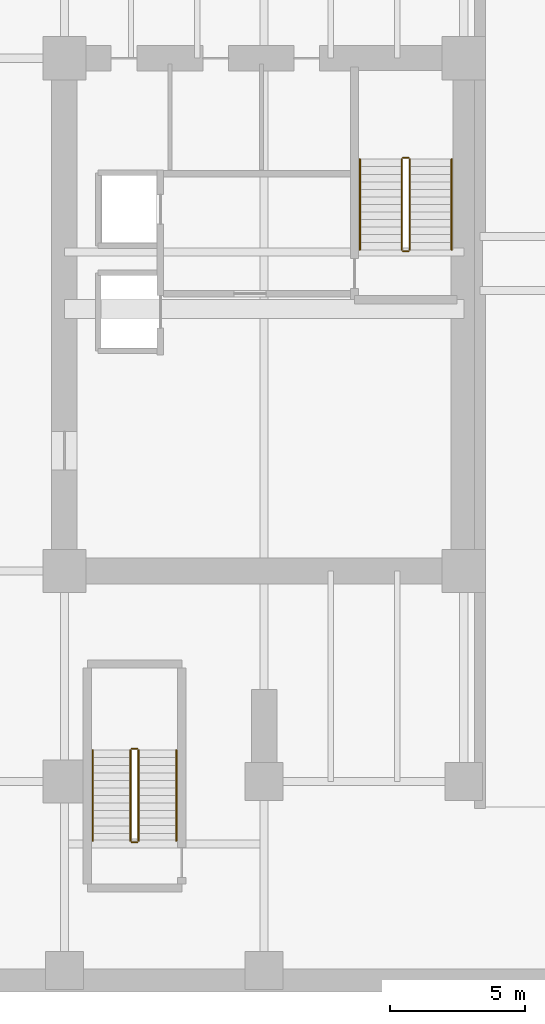
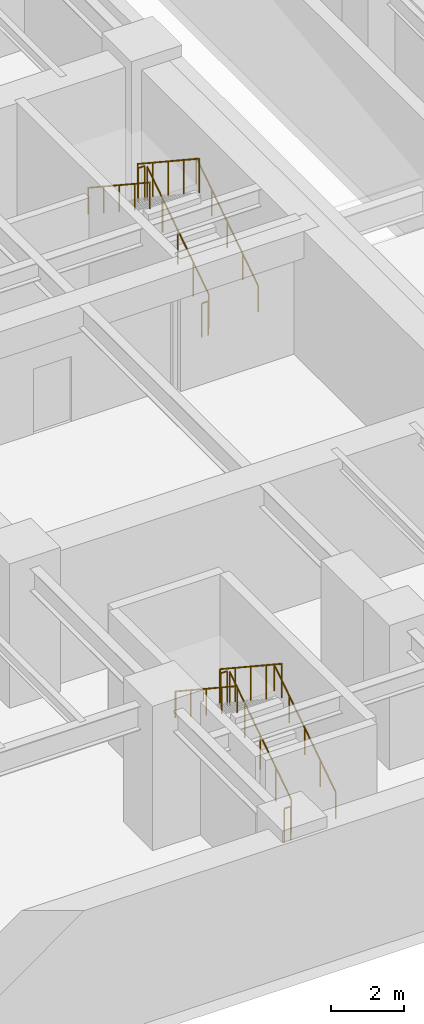
# One storey, part 6 of 6: 12 railings.
"""IFC4 building model written with IfcOpenShell, lengths in metres."""

from ifc_helpers import new_model, si_unit, direction, frame, origin, origin_2d, place, context, subcontext, project, spatial, circle, extrude, source, transform, mapped, material, type_object, type_shapes, element, save


model = new_model("IFC4")

# Units and contexts
model_context = context("Model", 3, precision=1e-05, world=origin(), true_north=direction((0.0, 1.0)))
body_context = subcontext(model_context, "Body", "Model", "MODEL_VIEW")
ifc_project = project(units=[si_unit("LENGTHUNIT", "METRE"), si_unit("AREAUNIT", "SQUARE_METRE"), si_unit("VOLUMEUNIT", "CUBIC_METRE"), si_unit("PLANEANGLEUNIT", "RADIAN"), si_unit("MASSUNIT", "GRAM", prefix="KILO")], contexts=[model_context])

# Site, building, storey
site_placement = place(None, origin())
site = spatial("IfcSite", under=ifc_project, at=site_placement, CompositionType="ELEMENT")
building_placement = place(site_placement, origin())
building = spatial("IfcBuilding", under=site, at=building_placement, Name="Haelvirn Gate Laboratories", CompositionType="ELEMENT")
storey_placement = place(building_placement, frame((0.0, 0.0, -9.60009765625)))
storey = spatial("IfcBuildingStorey", under=building, at=storey_placement, Name="B2", CompositionType="ELEMENT", Elevation=-9.60009765625)

# Railings
ifc_material_1 = material(Name="Galvanised steel SM355 & stainless top rail", Category="steel")
railing_type_1 = type_object("IfcRailingType", Name="RL-GUARD-1150", PredefinedType="GUARDRAIL", material=ifc_material_1)
shared_shape_1 = source(origin(), body_context, "Body", "SweptSolid", [
    extrude(circle(Radius=0.02392578125, at=origin_2d()), frame((0.0, 0.0, 1.1259765625), z_axis=(0.0, 0.834876476806, 0.550437342915), x_axis=(-1.0, 0.0, 0.0)), (0.0, 0.0, 1.0), 4.024658203125),
    extrude(circle(Radius=0.02099609375, at=origin_2d()), origin(), (0.0, 0.0, 1.0), 1.101806640625),
    extrude(circle(Radius=0.02099609375, at=origin_2d()), frame((0.0, 0.840087890625, 0.5537109375)), (0.0, 0.0, 1.0), 1.101806640625),
    extrude(circle(Radius=0.02099609375, at=origin_2d()), frame((0.0, 1.68017578125, 1.107666015625)), (0.0, 0.0, 1.0), 1.101806640625),
    extrude(circle(Radius=0.02099609375, at=origin_2d()), frame((0.0, 2.52001953125, 1.66162109375)), (0.0, 0.0, 1.0), 1.101806640625),
    extrude(circle(Radius=0.02099609375, at=origin_2d()), frame((0.0, 3.360107421875, 2.21533203125)), (0.0, 0.0, 1.0), 1.101806640625),
])
railing_1_placement = place(storey_placement, frame((65.39990234375, 26.699951171875, 0.184814453125)))
element("IfcRailing", 1, at=railing_1_placement, inside=storey, type_object=railing_type_1, Name="B2 ST2 stair guard 1", PredefinedType="GUARDRAIL", context=body_context, shape_type="MappedRepresentation", body=[
    mapped(shared_shape_1, transform((0.0, 0.0, 0.0), scale=1.0)),
])
shared_shape_2 = source(origin(), body_context, "Body", "SweptSolid", [
    extrude(circle(Radius=0.02392578125, at=origin_2d()), frame((0.0, 0.0, 1.1259765625), z_axis=(-1.0, 0.0, 0.0), x_axis=(0.0, -1.0, 0.0)), (0.0, 0.0, 1.0), 0.199951171875),
    extrude(circle(Radius=0.02099609375, at=origin_2d()), origin(), (0.0, 0.0, 1.0), 1.101806640625),
    extrude(circle(Radius=0.02099609375, at=origin_2d()), frame((-0.199951171875, 0.0, 0.0)), (0.0, 0.0, 1.0), 1.101806640625),
])
for number, where, name in (
    (2, (55.300048828125, 8.2099609375, 2.400146484375), "B2 ST4 stair guard 2"),
    (3, (55.300048828125, 4.75, 0.0), "B2 ST4 stair guard 4"),
):
    element("IfcRailing", number, at=place(storey_placement, frame(where)), inside=storey, type_object=railing_type_1, Name=name, PredefinedType="GUARDRAIL", context=body_context, shape_type="MappedRepresentation", body=[
        mapped(shared_shape_2, transform((0.0, 0.0, 0.0), scale=1.0)),
    ])
shared_shape_3 = source(origin(), body_context, "Body", "SweptSolid", [
    extrude(circle(Radius=0.02392578125, at=origin_2d()), frame((0.0, 0.0, 1.1259765625), z_axis=(0.0, -0.834876476806, 0.550437342915), x_axis=(1.0, 0.0, 0.0)), (0.0, 0.0, 1.0), 4.024658203125),
    extrude(circle(Radius=0.02099609375, at=origin_2d()), origin(), (0.0, 0.0, 1.0), 1.101806640625),
    extrude(circle(Radius=0.02099609375, at=origin_2d()), frame((0.0, -0.840087890625, 0.5537109375)), (0.0, 0.0, 1.0), 1.101806640625),
    extrude(circle(Radius=0.02099609375, at=origin_2d()), frame((0.0, -1.68017578125, 1.107666015625)), (0.0, 0.0, 1.0), 1.101806640625),
    extrude(circle(Radius=0.02099609375, at=origin_2d()), frame((0.0, -2.52001953125, 1.66162109375)), (0.0, 0.0, 1.0), 1.101806640625),
    extrude(circle(Radius=0.02099609375, at=origin_2d()), frame((0.0, -3.360107421875, 2.21533203125)), (0.0, 0.0, 1.0), 1.101806640625),
])
railing_2_placement = place(storey_placement, frame((65.10009765625, 30.06005859375, 2.584716796875)))
element("IfcRailing", 4, at=railing_2_placement, inside=storey, type_object=railing_type_1, Name="B2 ST2 stair guard 3", PredefinedType="GUARDRAIL", context=body_context, shape_type="MappedRepresentation", body=[
    mapped(shared_shape_3, transform((0.0, 0.0, 0.0), scale=1.0)),
])
ifc_material_2 = material(Name="Brushed stainless steel 316L", Category="steel")
railing_type_2 = type_object("IfcRailingType", Name="RL-HAND-920", PredefinedType="HANDRAIL", material=ifc_material_2)
shared_shape_4 = source(origin(), body_context, "Body", "SweptSolid", [
    extrude(circle(Radius=0.02392578125, at=origin_2d()), frame((0.0, 0.0, 0.8759765625), z_axis=(0.0, 0.834876476806, 0.550437342915), x_axis=(-1.0, 0.0, 0.0)), (0.0, 0.0, 1.0), 4.024658203125),
    extrude(circle(Radius=0.02099609375, at=origin_2d()), origin(), (0.0, 0.0, 1.0), 0.851806640625),
    extrude(circle(Radius=0.02099609375, at=origin_2d()), frame((0.0, 0.840087890625, 0.5537109375)), (0.0, 0.0, 1.0), 0.851806640625),
    extrude(circle(Radius=0.02099609375, at=origin_2d()), frame((0.0, 1.68017578125, 1.107666015625)), (0.0, 0.0, 1.0), 0.851806640625),
    extrude(circle(Radius=0.02099609375, at=origin_2d()), frame((0.0, 2.52001953125, 1.66162109375)), (0.0, 0.0, 1.0), 0.851806640625),
    extrude(circle(Radius=0.02099609375, at=origin_2d()), frame((0.0, 3.360107421875, 2.21533203125)), (0.0, 0.0, 1.0), 0.851806640625),
])
railing_3_placement = place(storey_placement, frame((66.949951171875, 26.699951171875, 0.184814453125)))
element("IfcRailing", 5, at=railing_3_placement, inside=storey, type_object=railing_type_2, Name="B2 ST2 stair handrail 1", PredefinedType="HANDRAIL", context=body_context, shape_type="MappedRepresentation", body=[
    mapped(shared_shape_4, transform((0.0, 0.0, 0.0), scale=1.0)),
])
shared_shape_5 = source(origin(), body_context, "Body", "SweptSolid", [
    extrude(circle(Radius=0.02392578125, at=origin_2d()), frame((0.0, 0.0, 0.8759765625), z_axis=(0.0, -0.834876476806, 0.550437342915), x_axis=(1.0, 0.0, 0.0)), (0.0, 0.0, 1.0), 4.024658203125),
    extrude(circle(Radius=0.02099609375, at=origin_2d()), origin(), (0.0, 0.0, 1.0), 0.851806640625),
    extrude(circle(Radius=0.02099609375, at=origin_2d()), frame((0.0, -0.840087890625, 0.5537109375)), (0.0, 0.0, 1.0), 0.851806640625),
    extrude(circle(Radius=0.02099609375, at=origin_2d()), frame((0.0, -1.68017578125, 1.107666015625)), (0.0, 0.0, 1.0), 0.851806640625),
    extrude(circle(Radius=0.02099609375, at=origin_2d()), frame((0.0, -2.52001953125, 1.66162109375)), (0.0, 0.0, 1.0), 0.851806640625),
    extrude(circle(Radius=0.02099609375, at=origin_2d()), frame((0.0, -3.360107421875, 2.21533203125)), (0.0, 0.0, 1.0), 0.851806640625),
])
railing_4_placement = place(storey_placement, frame((63.550048828125, 30.06005859375, 2.584716796875)))
element("IfcRailing", 6, at=railing_4_placement, inside=storey, type_object=railing_type_2, Name="B2 ST2 stair handrail 2", PredefinedType="HANDRAIL", context=body_context, shape_type="MappedRepresentation", body=[
    mapped(shared_shape_5, transform((0.0, 0.0, 0.0), scale=1.0)),
])
shared_shape_6 = source(origin(), body_context, "Body", "SweptSolid", [
    extrude(circle(Radius=0.02392578125, at=origin_2d()), frame((0.0, 0.0, 1.1259765625), z_axis=(-1.0, 0.0, 0.0), x_axis=(0.0, -1.0, 0.0)), (0.0, 0.0, 1.0), 0.2001953125),
    extrude(circle(Radius=0.02099609375, at=origin_2d()), origin(), (0.0, 0.0, 1.0), 1.101806640625),
    extrude(circle(Radius=0.02099609375, at=origin_2d()), frame((-0.2001953125, 0.0, 0.0)), (0.0, 0.0, 1.0), 1.101806640625),
])
for number, where, name in (
    (7, (65.35009765625, 30.110107421875, 2.400146484375), "B2 ST2 stair guard 2"),
    (8, (65.35009765625, 26.64990234375, 0.0), "B2 ST2 stair guard 4"),
):
    element("IfcRailing", number, at=place(storey_placement, frame(where)), inside=storey, type_object=railing_type_1, Name=name, PredefinedType="GUARDRAIL", context=body_context, shape_type="MappedRepresentation", body=[
        mapped(shared_shape_6, transform((0.0, 0.0, 0.0), scale=1.0)),
    ])
shared_shape_7 = source(origin(), body_context, "Body", "SweptSolid", [
    extrude(circle(Radius=0.02392578125, at=origin_2d()), frame((0.0, 0.0, 1.1259765625), z_axis=(0.0, 0.834858096282, 0.550465220583), x_axis=(-1.0, 0.0, 0.0)), (0.0, 0.0, 1.0), 4.0244140625),
    extrude(circle(Radius=0.02099609375, at=origin_2d()), origin(), (0.0, 0.0, 1.0), 1.101806640625),
    extrude(circle(Radius=0.02099609375, at=origin_2d()), frame((0.0, 0.83984375, 0.5537109375)), (0.0, 0.0, 1.0), 1.101806640625),
    extrude(circle(Radius=0.02099609375, at=origin_2d()), frame((0.0, 1.679931640625, 1.107666015625)), (0.0, 0.0, 1.0), 1.101806640625),
    extrude(circle(Radius=0.02099609375, at=origin_2d()), frame((0.0, 2.52001953125, 1.66162109375)), (0.0, 0.0, 1.0), 1.101806640625),
    extrude(circle(Radius=0.02099609375, at=origin_2d()), frame((0.0, 3.35986328125, 2.21533203125)), (0.0, 0.0, 1.0), 1.101806640625),
])
railing_5_placement = place(storey_placement, frame((55.35009765625, 4.800048828125, 0.184814453125)))
element("IfcRailing", 9, at=railing_5_placement, inside=storey, type_object=railing_type_1, Name="B2 ST4 stair guard 1", PredefinedType="GUARDRAIL", context=body_context, shape_type="MappedRepresentation", body=[
    mapped(shared_shape_7, transform((0.0, 0.0, 0.0), scale=1.0)),
])
shared_shape_8 = source(origin(), body_context, "Body", "SweptSolid", [
    extrude(circle(Radius=0.02392578125, at=origin_2d()), frame((0.0, 0.0, 1.1259765625), z_axis=(0.0, -0.834858096282, 0.550465220583), x_axis=(1.0, 0.0, 0.0)), (0.0, 0.0, 1.0), 4.0244140625),
    extrude(circle(Radius=0.02099609375, at=origin_2d()), origin(), (0.0, 0.0, 1.0), 1.101806640625),
    extrude(circle(Radius=0.02099609375, at=origin_2d()), frame((0.0, -0.83984375, 0.5537109375)), (0.0, 0.0, 1.0), 1.101806640625),
    extrude(circle(Radius=0.02099609375, at=origin_2d()), frame((0.0, -1.679931640625, 1.107666015625)), (0.0, 0.0, 1.0), 1.101806640625),
    extrude(circle(Radius=0.02099609375, at=origin_2d()), frame((0.0, -2.52001953125, 1.66162109375)), (0.0, 0.0, 1.0), 1.101806640625),
    extrude(circle(Radius=0.02099609375, at=origin_2d()), frame((0.0, -3.35986328125, 2.21533203125)), (0.0, 0.0, 1.0), 1.101806640625),
])
type_shapes(railing_type_1, [shared_shape_1, shared_shape_2, shared_shape_3, shared_shape_6, shared_shape_7, shared_shape_8])
railing_6_placement = place(storey_placement, frame((55.050048828125, 8.159912109375, 2.584716796875)))
element("IfcRailing", 10, at=railing_6_placement, inside=storey, type_object=railing_type_1, Name="B2 ST4 stair guard 3", PredefinedType="GUARDRAIL", context=body_context, shape_type="MappedRepresentation", body=[
    mapped(shared_shape_8, transform((0.0, 0.0, 0.0), scale=1.0)),
])
shared_shape_9 = source(origin(), body_context, "Body", "SweptSolid", [
    extrude(circle(Radius=0.02392578125, at=origin_2d()), frame((0.0, 0.0, 0.8759765625), z_axis=(0.0, 0.834858096282, 0.550465220583), x_axis=(-1.0, 0.0, 0.0)), (0.0, 0.0, 1.0), 4.0244140625),
    extrude(circle(Radius=0.02099609375, at=origin_2d()), origin(), (0.0, 0.0, 1.0), 0.851806640625),
    extrude(circle(Radius=0.02099609375, at=origin_2d()), frame((0.0, 0.83984375, 0.5537109375)), (0.0, 0.0, 1.0), 0.851806640625),
    extrude(circle(Radius=0.02099609375, at=origin_2d()), frame((0.0, 1.679931640625, 1.107666015625)), (0.0, 0.0, 1.0), 0.851806640625),
    extrude(circle(Radius=0.02099609375, at=origin_2d()), frame((0.0, 2.52001953125, 1.66162109375)), (0.0, 0.0, 1.0), 0.851806640625),
    extrude(circle(Radius=0.02099609375, at=origin_2d()), frame((0.0, 3.35986328125, 2.21533203125)), (0.0, 0.0, 1.0), 0.851806640625),
])
railing_7_placement = place(storey_placement, frame((56.75, 4.800048828125, 0.184814453125)))
element("IfcRailing", 11, at=railing_7_placement, inside=storey, type_object=railing_type_2, Name="B2 ST4 stair handrail 1", PredefinedType="HANDRAIL", context=body_context, shape_type="MappedRepresentation", body=[
    mapped(shared_shape_9, transform((0.0, 0.0, 0.0), scale=1.0)),
])
shared_shape_10 = source(origin(), body_context, "Body", "SweptSolid", [
    extrude(circle(Radius=0.02392578125, at=origin_2d()), frame((0.0, 0.0, 0.8759765625), z_axis=(0.0, -0.834858096282, 0.550465220583), x_axis=(1.0, 0.0, 0.0)), (0.0, 0.0, 1.0), 4.0244140625),
    extrude(circle(Radius=0.02099609375, at=origin_2d()), origin(), (0.0, 0.0, 1.0), 0.851806640625),
    extrude(circle(Radius=0.02099609375, at=origin_2d()), frame((0.0, -0.83984375, 0.5537109375)), (0.0, 0.0, 1.0), 0.851806640625),
    extrude(circle(Radius=0.02099609375, at=origin_2d()), frame((0.0, -1.679931640625, 1.107666015625)), (0.0, 0.0, 1.0), 0.851806640625),
    extrude(circle(Radius=0.02099609375, at=origin_2d()), frame((0.0, -2.52001953125, 1.66162109375)), (0.0, 0.0, 1.0), 0.851806640625),
    extrude(circle(Radius=0.02099609375, at=origin_2d()), frame((0.0, -3.35986328125, 2.21533203125)), (0.0, 0.0, 1.0), 0.851806640625),
])
type_shapes(railing_type_2, [shared_shape_4, shared_shape_5, shared_shape_9, shared_shape_10])
railing_8_placement = place(storey_placement, frame((53.64990234375, 8.159912109375, 2.584716796875)))
element("IfcRailing", 12, at=railing_8_placement, inside=storey, type_object=railing_type_2, Name="B2 ST4 stair handrail 2", PredefinedType="HANDRAIL", context=body_context, shape_type="MappedRepresentation", body=[
    mapped(shared_shape_10, transform((0.0, 0.0, 0.0), scale=1.0)),
])

save(model, "model.ifc")
